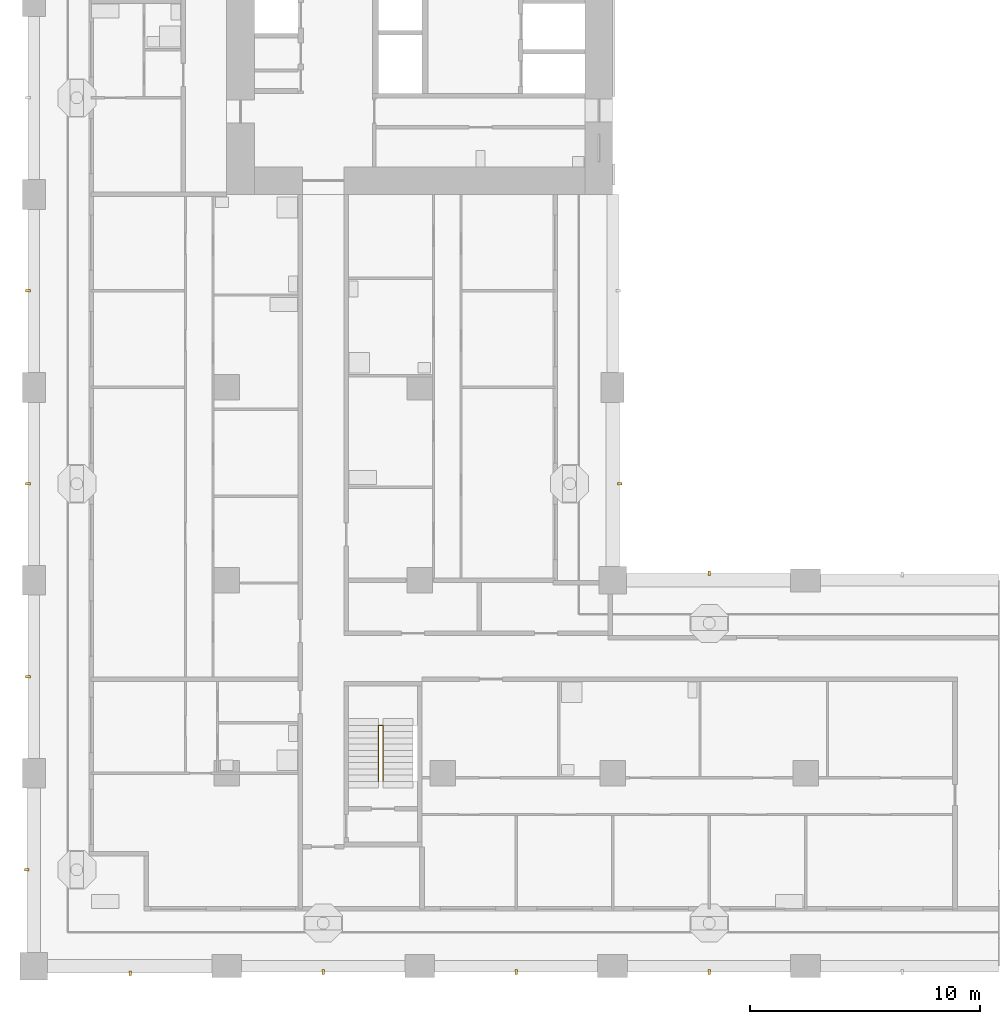
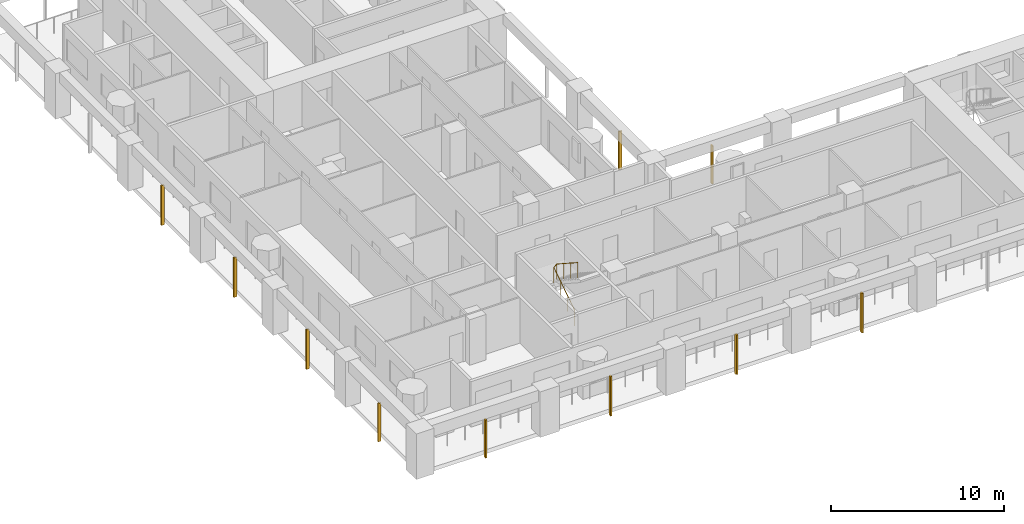
# One storey, part 9 of 18: 10 shading devices, 1 railing.
"""IFC4 building model written with IfcOpenShell, lengths in metres."""

from ifc_helpers import new_model, si_unit, direction, frame, origin, origin_2d, place, context, subcontext, project, spatial, rectangle, circle, extrude, material, material_profile, profile_set, type_object, element, save


model = new_model("IFC4")

# Units and contexts
model_context = context("Model", 3, precision=1e-05, world=origin(), true_north=direction((0.0, 1.0)))
body_context = subcontext(model_context, "Body", "Model", "MODEL_VIEW")
ifc_project = project(units=[si_unit("LENGTHUNIT", "METRE"), si_unit("AREAUNIT", "SQUARE_METRE"), si_unit("VOLUMEUNIT", "CUBIC_METRE"), si_unit("PLANEANGLEUNIT", "RADIAN"), si_unit("MASSUNIT", "GRAM", prefix="KILO")], contexts=[model_context])

# Site, building, storey
site_placement = place(None, origin())
site = spatial("IfcSite", under=ifc_project, at=site_placement, CompositionType="ELEMENT")
building_placement = place(site_placement, origin())
building = spatial("IfcBuilding", under=site, at=building_placement, Name="Vermilion Gate Residences", CompositionType="ELEMENT")
storey_placement = place(building_placement, frame((0.0, 0.0, 109.199951171875)))
storey = spatial("IfcBuildingStorey", under=building, at=storey_placement, Name="L27", CompositionType="ELEMENT", Elevation=109.199951171875)

# Railing
ifc_material_1 = material(Name="Steel S355", Category="steel")
railing_type = type_object("IfcRailingType", Name="STAIR GUARD 1100 STEEL", PredefinedType="GUARDRAIL", material=ifc_material_1)
railing_placement = place(storey_placement, frame((15.0, 16.449951171875, 0.175048828125)))
element("IfcRailing", 1, at=railing_placement, inside=storey, type_object=railing_type, Name="Stair well guard STC1-27", PredefinedType="GUARDRAIL", context=body_context, shape_type="SweptSolid", body=[
    extrude(circle(Radius=0.02392578125, at=origin_2d()), frame((0.0, 0.0, 1.076171875), z_axis=(0.0, 0.839153699163, 0.543894354798), x_axis=(-1.0, 0.0, 0.0)), (0.0, 0.0, 1.0), 2.895751953125),
    extrude(circle(Radius=0.02392578125, at=origin_2d()), frame((0.0, 2.429931640625, 2.65087890625), z_axis=(0.752405939678, 0.0, 0.658699705433), x_axis=(0.0, 1.0, 0.0)), (0.0, 0.0, 1.0), 0.265869140625),
    extrude(circle(Radius=0.02392578125, at=origin_2d()), frame((0.199951171875, 2.429931640625, 2.826171875), z_axis=(0.0, -0.839153699163, 0.543894354798), x_axis=(1.0, 0.0, 0.0)), (0.0, 0.0, 1.0), 2.895751953125),
    extrude(circle(Radius=0.02099609375, at=origin_2d()), origin(), (0.0, 0.0, 1.0), 1.052001953125),
    extrude(circle(Radius=0.02099609375, at=origin_2d()), frame((0.0, 0.81005859375, 0.52490234375)), (0.0, 0.0, 1.0), 1.052001953125),
    extrude(circle(Radius=0.02099609375, at=origin_2d()), frame((0.0, 1.619873046875, 1.050048828125)), (0.0, 0.0, 1.0), 1.052001953125),
    extrude(circle(Radius=0.02099609375, at=origin_2d()), frame((0.0, 2.429931640625, 1.574951171875)), (0.0, 0.0, 1.0), 1.052001953125),
    extrude(circle(Radius=0.02099609375, at=origin_2d()), frame((0.199951171875, 2.429931640625, 1.75)), (0.0, 0.0, 1.0), 1.052001953125),
    extrude(circle(Radius=0.02099609375, at=origin_2d()), frame((0.199951171875, 1.619873046875, 2.27490234375)), (0.0, 0.0, 1.0), 1.052001953125),
    extrude(circle(Radius=0.02099609375, at=origin_2d()), frame((0.199951171875, 0.81005859375, 2.800048828125)), (0.0, 0.0, 1.0), 1.052001953125),
    extrude(circle(Radius=0.02099609375, at=origin_2d()), frame((0.199951171875, 0.0, 3.324951171875)), (0.0, 0.0, 1.0), 1.052001953125),
])

# Shading devices
ifc_material_2 = material(Name="Extruded terracotta", Category="masonry")
ifc_material_profile = material_profile(ifc_material_2, rectangle(XDim=0.199951171875, YDim=0.10009765625, at=origin_2d()), Name="BAGUETTE 100 X 200")
ifc_profile_set = profile_set([ifc_material_profile], Name="Extruded terracotta")
shading_device_type = type_object("IfcShadingDeviceType", Name="TERRACOTTA BAGUETTE 100 X 200", PredefinedType="JALOUSIE", material=ifc_profile_set)
shading_device_placement = place(storey_placement, frame((4.199951171875, 8.10009765625, -0.280029296875), z_axis=(0.0, 0.0, 1.0), x_axis=(0.0, 1.0, 0.0)))
element("IfcShadingDevice", 2, at=shading_device_placement, inside=storey, type_object=shading_device_type, Name="BAGUETTE", PredefinedType="JALOUSIE", context=body_context, shape_type="SweptSolid", body=[
    extrude(rectangle(XDim=0.199951171875, YDim=0.10009765625, at=origin_2d()), origin(), (0.0, 0.0, 1.0), 2.7001953125),
])
for number, where, z_axis, x_axis, name in (
    (3, (12.60009765625, 8.14990234375, -0.280029296875), (0.0, 0.0, 1.0), (0.0, 1.0, 0.0), "BAGUETTE"),
    (4, (21.0, 8.14990234375, -0.280029296875), (0.0, 0.0, 1.0), (0.0, 1.0, 0.0), "BAGUETTE"),
    (5, (29.39990234375, 8.14990234375, -0.280029296875), (0.0, 0.0, 1.0), (0.0, 1.0, 0.0), "BAGUETTE"),
):
    element("IfcShadingDevice", number, at=place(storey_placement, frame(where, z_axis=z_axis, x_axis=x_axis)), inside=storey, type_object=shading_device_type, Name=name, PredefinedType="JALOUSIE", context=body_context, shape_type="SweptSolid", body=[
        extrude(rectangle(XDim=0.199951171875, YDim=0.10009765625, at=origin_2d()), origin(), (0.0, 0.0, 1.0), 2.800048828125),
    ])
for number, where, z_axis, x_axis, name in (
    (6, (29.39990234375, 25.5, -0.280029296875), (0.0, 0.0, 1.0), (0.0, -1.0, 0.0), "BAGUETTE"),
    (7, (25.5, 29.39990234375, -0.280029296875), (0.0, 0.0, 1.0), (-1.0, 0.0, 0.0), "BAGUETTE"),
    (8, (-0.300048828125, 12.60009765625, -0.280029296875), (0.0, 0.0, 1.0), (1.0, 0.0, 0.0), "BAGUETTE"),
):
    element("IfcShadingDevice", number, at=place(storey_placement, frame(where, z_axis=z_axis, x_axis=x_axis)), inside=storey, type_object=shading_device_type, Name=name, PredefinedType="JALOUSIE", context=body_context, shape_type="SweptSolid", body=[
        extrude(rectangle(XDim=0.199951171875, YDim=0.10009765625, at=origin_2d()), origin(), (0.0, 0.0, 1.0), 2.7001953125),
    ])
for number, where, z_axis, x_axis, name in (
    (9, (-0.25, 21.0, -0.280029296875), (0.0, 0.0, 1.0), (1.0, 0.0, 0.0), "BAGUETTE"),
    (10, (-0.25, 29.39990234375, -0.280029296875), (0.0, 0.0, 1.0), (1.0, 0.0, 0.0), "BAGUETTE"),
    (11, (-0.25, 37.800048828125, -0.280029296875), (0.0, 0.0, 1.0), (1.0, 0.0, 0.0), "BAGUETTE"),
):
    element("IfcShadingDevice", number, at=place(storey_placement, frame(where, z_axis=z_axis, x_axis=x_axis)), inside=storey, type_object=shading_device_type, Name=name, PredefinedType="JALOUSIE", context=body_context, shape_type="SweptSolid", body=[
        extrude(rectangle(XDim=0.199951171875, YDim=0.10009765625, at=origin_2d()), origin(), (0.0, 0.0, 1.0), 2.800048828125),
    ])

save(model, "model.ifc")
